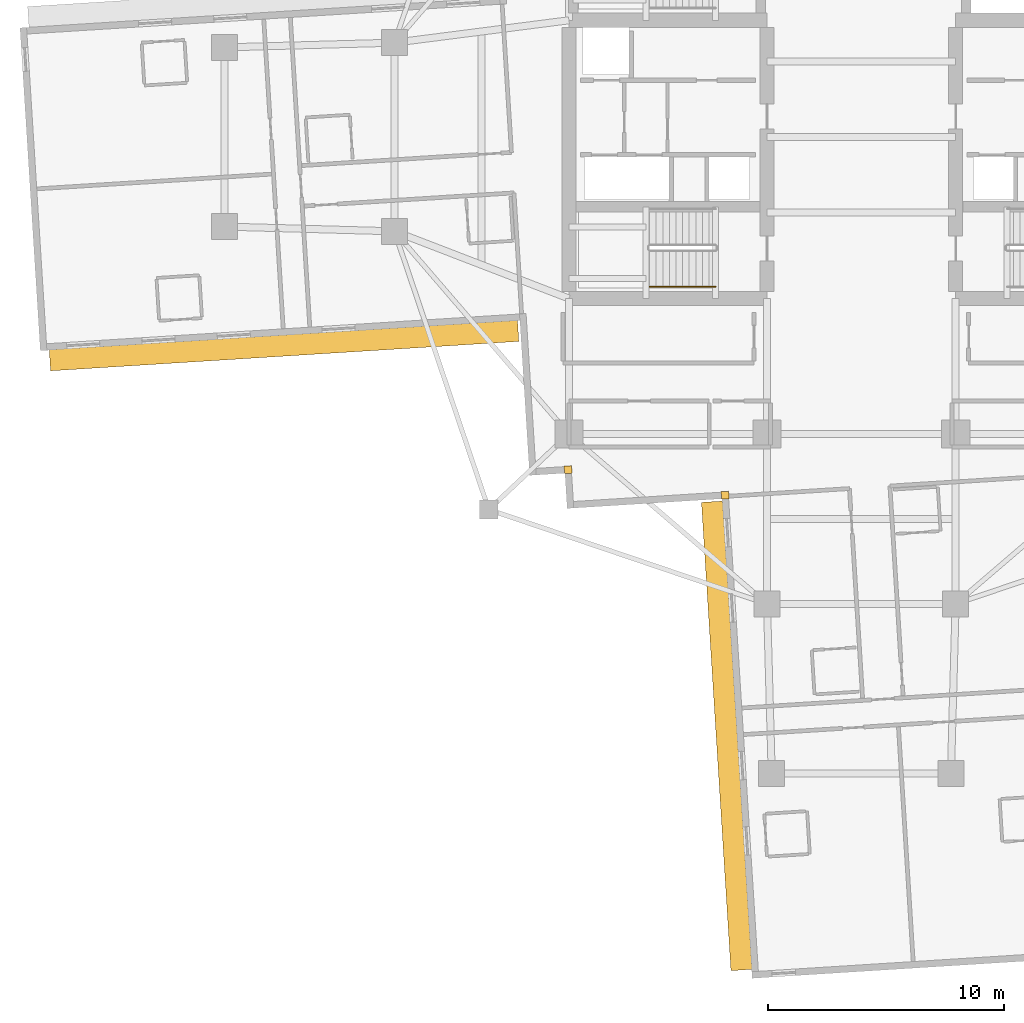
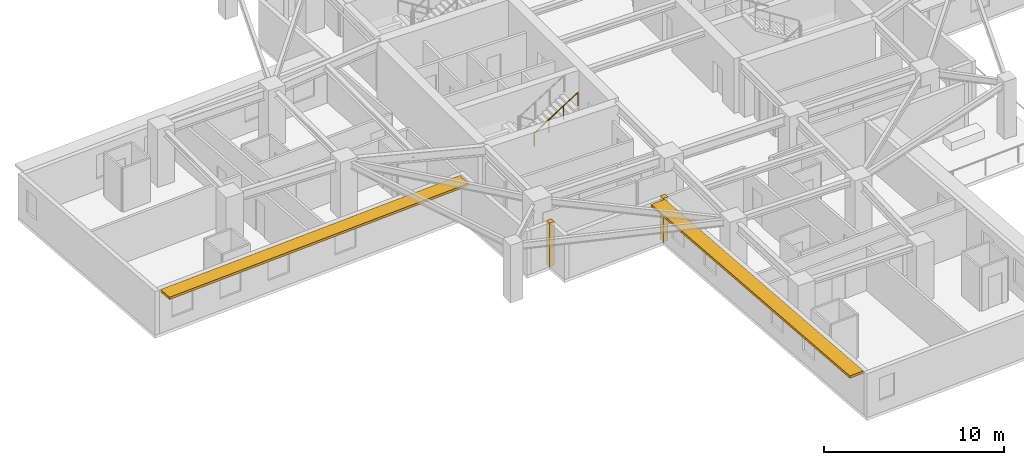
# One storey, part 10 of 14: 2 coverings, 2 shading devices, 1 railing.
"""IFC4 building model written with IfcOpenShell, lengths in metres."""

from ifc_helpers import new_model, si_unit, direction, frame, origin, origin_2d, place, context, subcontext, project, spatial, rectangle, circle, extrude, material, layer, layer_set, type_object, element, save


model = new_model("IFC4")

# Units and contexts
model_context = context("Model", 3, precision=1e-05, world=origin(), true_north=direction((0.0, 1.0)))
body_context = subcontext(model_context, "Body", "Model", "MODEL_VIEW")
ifc_project = project(units=[si_unit("LENGTHUNIT", "METRE"), si_unit("AREAUNIT", "SQUARE_METRE"), si_unit("VOLUMEUNIT", "CUBIC_METRE"), si_unit("PLANEANGLEUNIT", "RADIAN"), si_unit("MASSUNIT", "GRAM", prefix="KILO")], contexts=[model_context])

# Site, building, storey
site_placement = place(None, origin())
site = spatial("IfcSite", under=ifc_project, at=site_placement, CompositionType="ELEMENT")
building_placement = place(site_placement, origin())
building = spatial("IfcBuilding", under=site, at=building_placement, Name="Qingluan Cross Belvedere", CompositionType="ELEMENT")
storey_placement = place(building_placement, frame((0.0, 0.0, 120.300048828125)))
storey = spatial("IfcBuildingStorey", under=building, at=storey_placement, Name="L30", CompositionType="ELEMENT", Elevation=120.300048828125)

# Coverings
ifc_material_1 = material(Name="Precast concrete C45", Category="concrete")
ifc_layer_1 = layer(ifc_material_1, 0.1201171875, Name="ConcreteSpandrelCladding_120")
ifc_layer_set_1 = layer_set([ifc_layer_1], Name="Precast concrete C45")
covering_type = type_object("IfcCoveringType", Name="ConcreteSpandrelCladding_120", PredefinedType="CLADDING", material=ifc_layer_set_1)
for number, where, z_axis, x_axis, name in (
    (1, (-12.438720703125, -14.10888671875, 0.0), (0.0, 0.0, 1.0), (0.998026728428, 0.062790519529, 0.0), "Corner closure L30-SW1"),
    (2, (-5.77734375, -15.192626953125, 0.0), (0.0, 0.0, 1.0), (0.998026728428, 0.062790519529, 0.0), "Corner closure L30-SW2"),
):
    element("IfcCovering", number, at=place(storey_placement, frame(where, z_axis=z_axis, x_axis=x_axis)), inside=storey, type_object=covering_type, Name=name, PredefinedType="CLADDING", context=body_context, shape_type="SweptSolid", body=[
        extrude(rectangle(XDim=0.320068359375, YDim=0.320068359375, at=origin_2d()), origin(), (0.0, 0.0, 1.0), 2.969970703125),
    ])

# Shading devices
ifc_material_2 = material(Name="Precast concrete C45", Category="concrete")
ifc_layer_2 = layer(ifc_material_2, 0.159912109375, Name="ConcreteSunshadeBand_900")
ifc_layer_set_2 = layer_set([ifc_layer_2], Name="Precast concrete C45")
shading_device_type = type_object("IfcShadingDeviceType", Name="ConcreteSunshadeBand_900", PredefinedType="USERDEFINED", material=ifc_layer_set_2)
for number, where, z_axis, x_axis, name in (
    (3, (-24.48291015625, -8.8447265625, 2.7900390625), (0.0, 0.0, 1.0), (0.998026688207, 0.062791158819, 0.0), "Concrete SUNSHADE L30-WB"),
    (4, (-5.70654296875, -25.3984375, 2.7900390625), (0.0, 0.0, 1.0), (0.062786203294, -0.998026999973, 0.0), "Concrete SUNSHADE L30-SA"),
):
    element("IfcShadingDevice", number, at=place(storey_placement, frame(where, z_axis=z_axis, x_axis=x_axis)), inside=storey, type_object=shading_device_type, Name=name, ObjectType="SUNSHADE", PredefinedType="USERDEFINED", context=body_context, shape_type="SweptSolid", body=[
        extrude(rectangle(XDim=19.89990234375, YDim=0.89990234375, at=origin_2d()), origin(), (0.0, 0.0, 1.0), 0.159912109375),
    ])

# Railing
ifc_material_3 = material(Name="Brushed stainless steel tubular handrail", Category="steel")
railing_type = type_object("IfcRailingType", Name="StairPitchHandrail_900", PredefinedType="HANDRAIL", material=ifc_material_3)
railing_placement = place(storey_placement, frame((-8.97998046875, -6.35009765625, 2.127197265625)))
element("IfcRailing", 5, at=railing_placement, inside=storey, type_object=railing_type, Name="L30 ST1 stair handrail 2", PredefinedType="HANDRAIL", context=body_context, shape_type="SweptSolid", body=[
    extrude(circle(Radius=0.02392578125, at=origin_2d()), frame((0.0, 0.0, 0.8759765625), z_axis=(0.844908973607, 0.0, 0.534910110503), x_axis=(0.0, 1.0, 0.0)), (0.0, 0.0, 1.0), 3.31396484375),
    extrude(circle(Radius=0.02099609375, at=origin_2d()), origin(), (0.0, 0.0, 1.0), 0.851806640625),
    extrude(circle(Radius=0.02099609375, at=origin_2d()), frame((0.933349609375, 0.0, 0.5908203125)), (0.0, 0.0, 1.0), 0.851806640625),
    extrude(circle(Radius=0.02099609375, at=origin_2d()), frame((1.86669921875, 0.0, 1.181884765625)), (0.0, 0.0, 1.0), 0.851806640625),
    extrude(circle(Radius=0.02099609375, at=origin_2d()), frame((2.800048828125, 0.0, 1.772705078125)), (0.0, 0.0, 1.0), 0.851806640625),
])

save(model, "model.ifc")
